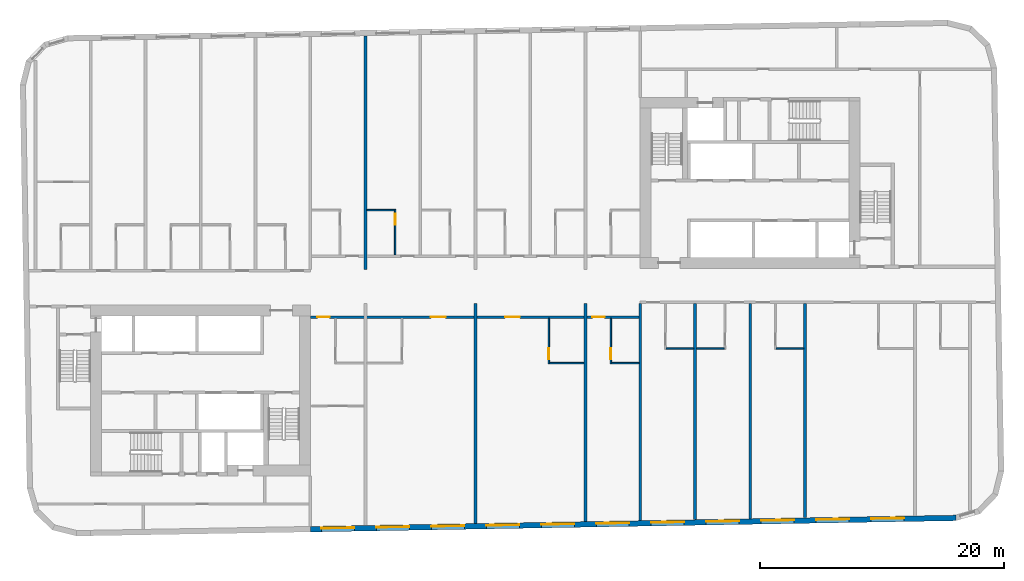
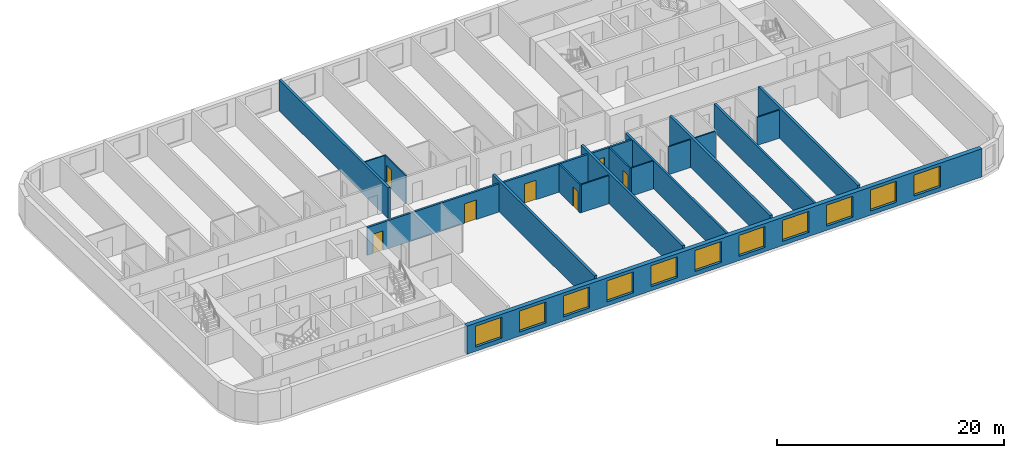
# One storey, part 4 of 11: 18 walls, 11 windows, 7 doors, 18 openings.
"""IFC4 building model written with IfcOpenShell, lengths in metres."""

from ifc_helpers import new_model, si_unit, direction, frame, frame_2d, origin, place, context, subcontext, project, spatial, rectangle, extrude, material, layer, layer_set, type_object, element, fill, save


model = new_model("IFC4")

# Units and contexts
model_context = context("Model", 3, precision=1e-05, world=origin(), true_north=direction((0.0, 1.0)))
body_context = subcontext(model_context, "Body", "Model", "MODEL_VIEW")
ifc_project = project(units=[si_unit("LENGTHUNIT", "METRE"), si_unit("AREAUNIT", "SQUARE_METRE"), si_unit("VOLUMEUNIT", "CUBIC_METRE"), si_unit("PLANEANGLEUNIT", "RADIAN"), si_unit("MASSUNIT", "GRAM", prefix="KILO")], contexts=[model_context])

# Site, building, storey
site_placement = place(None, origin())
site = spatial("IfcSite", under=ifc_project, at=site_placement, CompositionType="ELEMENT")
building_placement = place(site_placement, origin())
building = spatial("IfcBuilding", under=site, at=building_placement, Name="Kajstack Hotel Tower", CompositionType="ELEMENT")
storey_placement = place(building_placement, frame((0.0, 0.0, 240.800048828125)))
storey = spatial("IfcBuildingStorey", under=building, at=storey_placement, Name="L59", CompositionType="ELEMENT", Elevation=240.800048828125)

# Wall, openings, doors
ifc_material_1 = material(Name="Gypsum board on steel studs, mineral wool", Category="steel")
ifc_layer_1 = layer(ifc_material_1, 0.199951171875)
ifc_layer_set_1 = layer_set([ifc_layer_1], Name="Corridor wall 200")
wall_type_1 = type_object("IfcWallType", Name="Corridor wall 200", PredefinedType="PARTITIONING", material=ifc_layer_set_1)
wall_1_placement = place(storey_placement, frame((-13.5, -2.5, 0.0), z_axis=(0.0, 0.0, 1.0), x_axis=(1.0, 0.0, 0.0)))
wall_1 = element("IfcWall", 1, at=wall_1_placement, inside=storey, type_object=wall_type_1, Name="G-wall-L59-033", PredefinedType="PARTITIONING", context=body_context, shape_type="SweptSolid", body=[
    extrude(rectangle(XDim=27.0, YDim=0.199951171875, at=frame_2d((13.5, 0.0))), origin(), (0.0, 0.0, 1.0), 3.02001953125),
])
opening_1_placement = place(wall_1_placement, frame((0.574951171875, 0.0, 0.0)))
opening_1 = element("IfcOpeningElement", 2, at=opening_1_placement, cuts=wall_1, Name="Opening 59024", PredefinedType="OPENING", context=body_context, shape_type="SweptSolid", body=[
    extrude(rectangle(XDim=1.0, YDim=2.10009765625, at=frame_2d((0.5, 1.050048828125))), frame((0.0, 0.10986328125, 0.0), z_axis=(0.0, -1.0, 0.0), x_axis=(1.0, 0.0, 0.0)), (0.0, 0.0, 1.0), 0.219970703125),
])
opening_2_placement = place(wall_1_placement, frame((9.863037109375, 0.0, 0.0)))
opening_2 = element("IfcOpeningElement", 3, at=opening_2_placement, cuts=wall_1, Name="Opening 59027", PredefinedType="OPENING", context=body_context, shape_type="SweptSolid", body=[
    extrude(rectangle(XDim=1.199951171875, YDim=2.10009765625, at=frame_2d((0.60009765625, 1.050048828125))), frame((0.0, 0.10986328125, 0.0), z_axis=(0.0, -1.0, 0.0), x_axis=(1.0, 0.0, 0.0)), (0.0, 0.0, 1.0), 0.219970703125),
])
opening_3_placement = place(wall_1_placement, frame((15.93798828125, 0.0, 0.0)))
opening_3 = element("IfcOpeningElement", 4, at=opening_3_placement, cuts=wall_1, Name="Opening 59029", PredefinedType="OPENING", context=body_context, shape_type="SweptSolid", body=[
    extrude(rectangle(XDim=1.199951171875, YDim=2.10009765625, at=frame_2d((0.60009765625, 1.050048828125))), frame((0.0, 0.10986328125, 0.0), z_axis=(0.0, -1.0, 0.0), x_axis=(1.0, 0.0, 0.0)), (0.0, 0.0, 1.0), 0.219970703125),
])
opening_4_placement = place(wall_1_placement, frame((23.074951171875, 0.0, 0.0)))
opening_4 = element("IfcOpeningElement", 5, at=opening_4_placement, cuts=wall_1, Name="Opening 59031", PredefinedType="OPENING", context=body_context, shape_type="SweptSolid", body=[
    extrude(rectangle(XDim=1.0, YDim=2.10009765625, at=frame_2d((0.5, 1.050048828125))), frame((0.0, 0.10986328125, 0.0), z_axis=(0.0, -1.0, 0.0), x_axis=(1.0, 0.0, 0.0)), (0.0, 0.0, 1.0), 0.219970703125),
])
ifc_material_2 = material(Name="Oak veneer on timber core, fire-rated leaf", Category="wood")
door_type_1 = type_object("IfcDoorType", Name="Flat entrance door 1000", OperationType="SINGLE_SWING_LEFT", PredefinedType="DOOR", material=ifc_material_2)
door_1_placement = place(opening_1_placement, origin())
door_1 = element("IfcDoor", 6, at=door_1_placement, inside=storey, type_object=door_type_1, Name="G-door-L59-24", OperationType="SINGLE_SWING_RIGHT", OverallHeight=2.10009765625, OverallWidth=1.0, PredefinedType="DOOR", context=body_context, shape_type="SweptSolid", body=[
    extrude(rectangle(XDim=1.0, YDim=2.10009765625, at=frame_2d((0.5, 1.050048828125))), frame((0.0, 0.02490234375, 0.0), z_axis=(0.0, -1.0, 0.0), x_axis=(1.0, 0.0, 0.0)), (0.0, 0.0, 1.0), 0.050048828125),
])
fill(opening_1, door_1)
door_2_placement = place(opening_4_placement, origin())
door_2 = element("IfcDoor", 7, at=door_2_placement, inside=storey, type_object=door_type_1, Name="G-door-L59-31", OperationType="SINGLE_SWING_RIGHT", OverallHeight=2.10009765625, OverallWidth=1.0, PredefinedType="DOOR", context=body_context, shape_type="SweptSolid", body=[
    extrude(rectangle(XDim=1.0, YDim=2.10009765625, at=frame_2d((0.5, 1.050048828125))), frame((0.0, 0.02490234375, 0.0), z_axis=(0.0, -1.0, 0.0), x_axis=(1.0, 0.0, 0.0)), (0.0, 0.0, 1.0), 0.050048828125),
])
fill(opening_4, door_2)
door_type_2 = type_object("IfcDoorType", Name="Flat entrance door 1200", OperationType="SINGLE_SWING_LEFT", PredefinedType="DOOR", material=ifc_material_2)
door_3_placement = place(opening_2_placement, origin())
door_3 = element("IfcDoor", 8, at=door_3_placement, inside=storey, type_object=door_type_2, Name="G-door-L59-27", OperationType="SINGLE_SWING_LEFT", OverallHeight=2.10009765625, OverallWidth=1.199951171875, PredefinedType="DOOR", context=body_context, shape_type="SweptSolid", body=[
    extrude(rectangle(XDim=1.199951171875, YDim=2.10009765625, at=frame_2d((0.60009765625, 1.050048828125))), frame((0.0, 0.02490234375, 0.0), z_axis=(0.0, -1.0, 0.0), x_axis=(1.0, 0.0, 0.0)), (0.0, 0.0, 1.0), 0.050048828125),
])
fill(opening_2, door_3)
door_4_placement = place(opening_3_placement, origin())
door_4 = element("IfcDoor", 9, at=door_4_placement, inside=storey, type_object=door_type_2, Name="G-door-L59-29", OperationType="SINGLE_SWING_LEFT", OverallHeight=2.10009765625, OverallWidth=1.199951171875, PredefinedType="DOOR", context=body_context, shape_type="SweptSolid", body=[
    extrude(rectangle(XDim=1.199951171875, YDim=2.10009765625, at=frame_2d((0.60009765625, 1.050048828125))), frame((0.0, 0.02490234375, 0.0), z_axis=(0.0, -1.0, 0.0), x_axis=(1.0, 0.0, 0.0)), (0.0, 0.0, 1.0), 0.050048828125),
])
fill(opening_3, door_4)

# Walls
ifc_material_3 = material(Name="Twin-frame gypsum board on steel studs, mineral wool", Category="steel")
ifc_layer_2 = layer(ifc_material_3, 0.199951171875)
ifc_layer_set_2 = layer_set([ifc_layer_2], Name="Demising wall 200")
wall_type_2 = type_object("IfcWallType", Name="Demising wall 200", PredefinedType="PARTITIONING", material=ifc_layer_set_2)
wall_2_placement = place(storey_placement, frame((13.5, -19.169921875, 0.0), z_axis=(0.0, 0.0, 1.0), x_axis=(0.0, 1.0, 0.0)))
element("IfcWall", 10, at=wall_2_placement, inside=storey, type_object=wall_type_2, Name="G-wall-L59-042", PredefinedType="PARTITIONING", context=body_context, shape_type="SweptSolid", body=[
    extrude(rectangle(XDim=17.77001953125, YDim=0.199951171875, at=frame_2d((8.885009765625, 0.0))), origin(), (0.0, 0.0, 1.0), 3.02001953125),
])
wall_3_placement = place(storey_placement, frame((22.5, -19.012939453125, 0.0), z_axis=(0.0, 0.0, 1.0), x_axis=(0.0, 1.0, 0.0)))
element("IfcWall", 11, at=wall_3_placement, inside=storey, type_object=wall_type_2, Name="G-wall-L59-047", PredefinedType="PARTITIONING", context=body_context, shape_type="SweptSolid", body=[
    extrude(rectangle(XDim=17.613037109375, YDim=0.199951171875, at=frame_2d((8.806640625, 0.0))), origin(), (0.0, 0.0, 1.0), 3.02001953125),
])

# Wall, openings, windows
ifc_material_4 = material(Name="Terracotta-faced brick masonry", Category="masonry")
ifc_layer_3 = layer(ifc_material_4, 0.449951171875)
ifc_layer_set_3 = layer_set([ifc_layer_3], Name="EW-TERRA")
wall_type_3 = type_object("IfcWallType", Name="EW-TERRA", PredefinedType="SOLIDWALL", material=ifc_layer_set_3)
wall_4_placement = place(storey_placement, frame((-13.50390625, -19.8662109375, 0.0), z_axis=(0.0, 0.0, 1.0), x_axis=(0.999847672978, 0.017453676992, 0.0)))
wall_4 = element("IfcWall", 12, at=wall_4_placement, inside=storey, type_object=wall_type_3, Name="E-wall-L59-04-02", PredefinedType="SOLIDWALL", context=body_context, shape_type="SweptSolid", body=[
    extrude(rectangle(XDim=52.8603515625, YDim=0.449951171875, at=frame_2d((26.43017578125, 0.0))), origin(), (0.0, 0.0, 1.0), 3.02001953125),
])
opening_5_placement = place(wall_4_placement, frame((0.900390625, 0.0, 0.449951171875)))
opening_5 = element("IfcOpeningElement", 13, at=opening_5_placement, cuts=wall_4, Name="Opening W1", PredefinedType="OPENING", context=body_context, shape_type="SweptSolid", body=[
    extrude(rectangle(XDim=2.699951171875, YDim=2.25, at=frame_2d((1.35009765625, 1.125))), frame((0.0, 0.23486328125, 0.0), z_axis=(0.0, -1.0, 0.0), x_axis=(1.0, 0.0, 0.0)), (0.0, 0.0, 1.0), 0.469970703125),
])
opening_6_placement = place(wall_4_placement, frame((5.40087890625, 0.0, 0.449951171875)))
opening_6 = element("IfcOpeningElement", 14, at=opening_6_placement, cuts=wall_4, Name="Opening W1", PredefinedType="OPENING", context=body_context, shape_type="SweptSolid", body=[
    extrude(rectangle(XDim=2.699951171875, YDim=2.25, at=frame_2d((1.35009765625, 1.125))), frame((0.0, 0.23486328125, 0.0), z_axis=(0.0, -1.0, 0.0), x_axis=(1.0, 0.0, 0.0)), (0.0, 0.0, 1.0), 0.469970703125),
])
opening_7_placement = place(wall_4_placement, frame((9.901611328125, 0.0, 0.449951171875)))
opening_7 = element("IfcOpeningElement", 15, at=opening_7_placement, cuts=wall_4, Name="Opening W1", PredefinedType="OPENING", context=body_context, shape_type="SweptSolid", body=[
    extrude(rectangle(XDim=2.699951171875, YDim=2.25, at=frame_2d((1.35009765625, 1.125))), frame((0.0, 0.23486328125, 0.0), z_axis=(0.0, -1.0, 0.0), x_axis=(1.0, 0.0, 0.0)), (0.0, 0.0, 1.0), 0.469970703125),
])
opening_8_placement = place(wall_4_placement, frame((14.40234375, 0.0, 0.449951171875)))
opening_8 = element("IfcOpeningElement", 16, at=opening_8_placement, cuts=wall_4, Name="Opening W1", PredefinedType="OPENING", context=body_context, shape_type="SweptSolid", body=[
    extrude(rectangle(XDim=2.699951171875, YDim=2.25, at=frame_2d((1.35009765625, 1.125))), frame((0.0, 0.23486328125, 0.0), z_axis=(0.0, -1.0, 0.0), x_axis=(1.0, 0.0, 0.0)), (0.0, 0.0, 1.0), 0.469970703125),
])
opening_9_placement = place(wall_4_placement, frame((18.903076171875, 0.0, 0.449951171875)))
opening_9 = element("IfcOpeningElement", 17, at=opening_9_placement, cuts=wall_4, Name="Opening W1", PredefinedType="OPENING", context=body_context, shape_type="SweptSolid", body=[
    extrude(rectangle(XDim=2.699951171875, YDim=2.25, at=frame_2d((1.35009765625, 1.125))), frame((0.0, 0.23486328125, 0.0), z_axis=(0.0, -1.0, 0.0), x_axis=(1.0, 0.0, 0.0)), (0.0, 0.0, 1.0), 0.469970703125),
])
opening_10_placement = place(wall_4_placement, frame((23.40380859375, 0.0, 0.449951171875)))
opening_10 = element("IfcOpeningElement", 18, at=opening_10_placement, cuts=wall_4, Name="Opening W1", PredefinedType="OPENING", context=body_context, shape_type="SweptSolid", body=[
    extrude(rectangle(XDim=2.699951171875, YDim=2.25, at=frame_2d((1.35009765625, 1.125))), frame((0.0, 0.23486328125, 0.0), z_axis=(0.0, -1.0, 0.0), x_axis=(1.0, 0.0, 0.0)), (0.0, 0.0, 1.0), 0.469970703125),
])
opening_11_placement = place(wall_4_placement, frame((27.904296875, 0.0, 0.449951171875)))
opening_11 = element("IfcOpeningElement", 19, at=opening_11_placement, cuts=wall_4, Name="Opening W1", PredefinedType="OPENING", context=body_context, shape_type="SweptSolid", body=[
    extrude(rectangle(XDim=2.699951171875, YDim=2.25, at=frame_2d((1.35009765625, 1.125))), frame((0.0, 0.23486328125, 0.0), z_axis=(0.0, -1.0, 0.0), x_axis=(1.0, 0.0, 0.0)), (0.0, 0.0, 1.0), 0.469970703125),
])
opening_12_placement = place(wall_4_placement, frame((32.405029296875, 0.0, 0.449951171875)))
opening_12 = element("IfcOpeningElement", 20, at=opening_12_placement, cuts=wall_4, Name="Opening W1", PredefinedType="OPENING", context=body_context, shape_type="SweptSolid", body=[
    extrude(rectangle(XDim=2.699951171875, YDim=2.25, at=frame_2d((1.35009765625, 1.125))), frame((0.0, 0.23486328125, 0.0), z_axis=(0.0, -1.0, 0.0), x_axis=(1.0, 0.0, 0.0)), (0.0, 0.0, 1.0), 0.469970703125),
])
opening_13_placement = place(wall_4_placement, frame((36.90576171875, 0.0, 0.449951171875)))
opening_13 = element("IfcOpeningElement", 21, at=opening_13_placement, cuts=wall_4, Name="Opening W1", PredefinedType="OPENING", context=body_context, shape_type="SweptSolid", body=[
    extrude(rectangle(XDim=2.699951171875, YDim=2.25, at=frame_2d((1.35009765625, 1.125))), frame((0.0, 0.23486328125, 0.0), z_axis=(0.0, -1.0, 0.0), x_axis=(1.0, 0.0, 0.0)), (0.0, 0.0, 1.0), 0.469970703125),
])
opening_14_placement = place(wall_4_placement, frame((41.406494140625, 0.0, 0.449951171875)))
opening_14 = element("IfcOpeningElement", 22, at=opening_14_placement, cuts=wall_4, Name="Opening W1", PredefinedType="OPENING", context=body_context, shape_type="SweptSolid", body=[
    extrude(rectangle(XDim=2.699951171875, YDim=2.25, at=frame_2d((1.35009765625, 1.125))), frame((0.0, 0.23486328125, 0.0), z_axis=(0.0, -1.0, 0.0), x_axis=(1.0, 0.0, 0.0)), (0.0, 0.0, 1.0), 0.469970703125),
])
opening_15_placement = place(wall_4_placement, frame((45.9072265625, 0.0, 0.449951171875)))
opening_15 = element("IfcOpeningElement", 23, at=opening_15_placement, cuts=wall_4, Name="Opening W1", PredefinedType="OPENING", context=body_context, shape_type="SweptSolid", body=[
    extrude(rectangle(XDim=2.699951171875, YDim=2.25, at=frame_2d((1.35009765625, 1.125))), frame((0.0, 0.23486328125, 0.0), z_axis=(0.0, -1.0, 0.0), x_axis=(1.0, 0.0, 0.0)), (0.0, 0.0, 1.0), 0.469970703125),
])
ifc_material_5 = material(Name="Timber-aluminium window, triple glazed", Category="wood")
window_type = type_object("IfcWindowType", Name="WG1", PartitioningType="SINGLE_PANEL", PredefinedType="WINDOW", material=ifc_material_5)
window_1_placement = place(opening_5_placement, origin())
window_1 = element("IfcWindow", 24, at=window_1_placement, inside=storey, type_object=window_type, Name="Window W1 L59-04", OverallHeight=2.25, OverallWidth=2.699951171875, PartitioningType="SINGLE_PANEL", PredefinedType="WINDOW", context=body_context, shape_type="SweptSolid", body=[
    extrude(rectangle(XDim=2.699951171875, YDim=2.25, at=frame_2d((1.35009765625, 1.125))), frame((0.0, 0.090087890625, 0.0), z_axis=(0.0, -1.0, 0.0), x_axis=(1.0, 0.0, 0.0)), (0.0, 0.0, 1.0), 0.06005859375),
])
fill(opening_5, window_1)
window_2_placement = place(opening_6_placement, origin())
window_2 = element("IfcWindow", 25, at=window_2_placement, inside=storey, type_object=window_type, Name="Window W1 L59-04", OverallHeight=2.25, OverallWidth=2.699951171875, PartitioningType="SINGLE_PANEL", PredefinedType="WINDOW", context=body_context, shape_type="SweptSolid", body=[
    extrude(rectangle(XDim=2.699951171875, YDim=2.25, at=frame_2d((1.35009765625, 1.125))), frame((0.0, 0.090087890625, 0.0), z_axis=(0.0, -1.0, 0.0), x_axis=(1.0, 0.0, 0.0)), (0.0, 0.0, 1.0), 0.06005859375),
])
fill(opening_6, window_2)
window_3_placement = place(opening_7_placement, origin())
window_3 = element("IfcWindow", 26, at=window_3_placement, inside=storey, type_object=window_type, Name="Window W1 L59-04", OverallHeight=2.25, OverallWidth=2.699951171875, PartitioningType="SINGLE_PANEL", PredefinedType="WINDOW", context=body_context, shape_type="SweptSolid", body=[
    extrude(rectangle(XDim=2.699951171875, YDim=2.25, at=frame_2d((1.35009765625, 1.125))), frame((0.0, 0.090087890625, 0.0), z_axis=(0.0, -1.0, 0.0), x_axis=(1.0, 0.0, 0.0)), (0.0, 0.0, 1.0), 0.06005859375),
])
fill(opening_7, window_3)
window_4_placement = place(opening_8_placement, origin())
window_4 = element("IfcWindow", 27, at=window_4_placement, inside=storey, type_object=window_type, Name="Window W1 L59-04", OverallHeight=2.25, OverallWidth=2.699951171875, PartitioningType="SINGLE_PANEL", PredefinedType="WINDOW", context=body_context, shape_type="SweptSolid", body=[
    extrude(rectangle(XDim=2.699951171875, YDim=2.25, at=frame_2d((1.35009765625, 1.125))), frame((0.0, 0.090087890625, 0.0), z_axis=(0.0, -1.0, 0.0), x_axis=(1.0, 0.0, 0.0)), (0.0, 0.0, 1.0), 0.06005859375),
])
fill(opening_8, window_4)
window_5_placement = place(opening_9_placement, origin())
window_5 = element("IfcWindow", 28, at=window_5_placement, inside=storey, type_object=window_type, Name="Window W1 L59-04", OverallHeight=2.25, OverallWidth=2.699951171875, PartitioningType="SINGLE_PANEL", PredefinedType="WINDOW", context=body_context, shape_type="SweptSolid", body=[
    extrude(rectangle(XDim=2.699951171875, YDim=2.25, at=frame_2d((1.35009765625, 1.125))), frame((0.0, 0.090087890625, 0.0), z_axis=(0.0, -1.0, 0.0), x_axis=(1.0, 0.0, 0.0)), (0.0, 0.0, 1.0), 0.06005859375),
])
fill(opening_9, window_5)
window_6_placement = place(opening_10_placement, origin())
window_6 = element("IfcWindow", 29, at=window_6_placement, inside=storey, type_object=window_type, Name="Window W1 L59-04", OverallHeight=2.25, OverallWidth=2.699951171875, PartitioningType="SINGLE_PANEL", PredefinedType="WINDOW", context=body_context, shape_type="SweptSolid", body=[
    extrude(rectangle(XDim=2.699951171875, YDim=2.25, at=frame_2d((1.35009765625, 1.125))), frame((0.0, 0.090087890625, 0.0), z_axis=(0.0, -1.0, 0.0), x_axis=(1.0, 0.0, 0.0)), (0.0, 0.0, 1.0), 0.06005859375),
])
fill(opening_10, window_6)
window_7_placement = place(opening_11_placement, origin())
window_7 = element("IfcWindow", 30, at=window_7_placement, inside=storey, type_object=window_type, Name="Window W1 L59-04", OverallHeight=2.25, OverallWidth=2.699951171875, PartitioningType="SINGLE_PANEL", PredefinedType="WINDOW", context=body_context, shape_type="SweptSolid", body=[
    extrude(rectangle(XDim=2.699951171875, YDim=2.25, at=frame_2d((1.35009765625, 1.125))), frame((0.0, 0.090087890625, 0.0), z_axis=(0.0, -1.0, 0.0), x_axis=(1.0, 0.0, 0.0)), (0.0, 0.0, 1.0), 0.06005859375),
])
fill(opening_11, window_7)
window_8_placement = place(opening_12_placement, origin())
window_8 = element("IfcWindow", 31, at=window_8_placement, inside=storey, type_object=window_type, Name="Window W1 L59-04", OverallHeight=2.25, OverallWidth=2.699951171875, PartitioningType="SINGLE_PANEL", PredefinedType="WINDOW", context=body_context, shape_type="SweptSolid", body=[
    extrude(rectangle(XDim=2.699951171875, YDim=2.25, at=frame_2d((1.35009765625, 1.125))), frame((0.0, 0.090087890625, 0.0), z_axis=(0.0, -1.0, 0.0), x_axis=(1.0, 0.0, 0.0)), (0.0, 0.0, 1.0), 0.06005859375),
])
fill(opening_12, window_8)
window_9_placement = place(opening_13_placement, origin())
window_9 = element("IfcWindow", 32, at=window_9_placement, inside=storey, type_object=window_type, Name="Window W1 L59-04", OverallHeight=2.25, OverallWidth=2.699951171875, PartitioningType="SINGLE_PANEL", PredefinedType="WINDOW", context=body_context, shape_type="SweptSolid", body=[
    extrude(rectangle(XDim=2.699951171875, YDim=2.25, at=frame_2d((1.35009765625, 1.125))), frame((0.0, 0.090087890625, 0.0), z_axis=(0.0, -1.0, 0.0), x_axis=(1.0, 0.0, 0.0)), (0.0, 0.0, 1.0), 0.06005859375),
])
fill(opening_13, window_9)
window_10_placement = place(opening_14_placement, origin())
window_10 = element("IfcWindow", 33, at=window_10_placement, inside=storey, type_object=window_type, Name="Window W1 L59-04", OverallHeight=2.25, OverallWidth=2.699951171875, PartitioningType="SINGLE_PANEL", PredefinedType="WINDOW", context=body_context, shape_type="SweptSolid", body=[
    extrude(rectangle(XDim=2.699951171875, YDim=2.25, at=frame_2d((1.35009765625, 1.125))), frame((0.0, 0.090087890625, 0.0), z_axis=(0.0, -1.0, 0.0), x_axis=(1.0, 0.0, 0.0)), (0.0, 0.0, 1.0), 0.06005859375),
])
fill(opening_14, window_10)
window_11_placement = place(opening_15_placement, origin())
window_11 = element("IfcWindow", 34, at=window_11_placement, inside=storey, type_object=window_type, Name="Window W1 L59-04", OverallHeight=2.25, OverallWidth=2.699951171875, PartitioningType="SINGLE_PANEL", PredefinedType="WINDOW", context=body_context, shape_type="SweptSolid", body=[
    extrude(rectangle(XDim=2.699951171875, YDim=2.25, at=frame_2d((1.35009765625, 1.125))), frame((0.0, 0.090087890625, 0.0), z_axis=(0.0, -1.0, 0.0), x_axis=(1.0, 0.0, 0.0)), (0.0, 0.0, 1.0), 0.06005859375),
])
fill(opening_15, window_11)

# Wall, opening, door
ifc_material_6 = material(Name="Gypsum board and tiled backer on steel studs", Category="steel")
ifc_layer_4 = layer(ifc_material_6, 0.125)
ifc_layer_set_4 = layer_set([ifc_layer_4], Name="En-suite wall 125")
wall_type_4 = type_object("IfcWallType", Name="En-suite wall 125", PredefinedType="PARTITIONING", material=ifc_layer_set_4)
wall_5_placement = place(storey_placement, frame((-6.56201171875, 2.60009765625, 0.0), z_axis=(0.0, 0.0, 1.0), x_axis=(0.0, 1.0, 0.0)))
wall_5 = element("IfcWall", 35, at=wall_5_placement, inside=storey, type_object=wall_type_4, Name="G-wall-L59-022", PredefinedType="PARTITIONING", context=body_context, shape_type="SweptSolid", body=[
    extrude(rectangle(XDim=3.724853515625, YDim=0.125, at=frame_2d((1.8623046875, 0.0))), origin(), (0.0, 0.0, 1.0), 3.02001953125),
])
opening_16_placement = place(wall_5_placement, frame((2.449951171875, 0.0, 0.0)))
opening_16 = element("IfcOpeningElement", 36, at=opening_16_placement, cuts=wall_5, Name="Opening 59015", PredefinedType="OPENING", context=body_context, shape_type="SweptSolid", body=[
    extrude(rectangle(XDim=0.89990234375, YDim=2.10009765625, at=frame_2d((0.449951171875, 1.050048828125))), frame((0.0, 0.072509765625, 0.0), z_axis=(0.0, -1.0, 0.0), x_axis=(1.0, 0.0, 0.0)), (0.0, 0.0, 1.0), 0.14501953125),
])
ifc_material_7 = material(Name="Painted timber door leaf", Category="wood")
door_type_3 = type_object("IfcDoorType", Name="Room door 900", OperationType="SINGLE_SWING_LEFT", PredefinedType="DOOR", material=ifc_material_7)
door_5_placement = place(opening_16_placement, origin())
door_5 = element("IfcDoor", 37, at=door_5_placement, inside=storey, type_object=door_type_3, Name="G-door-L59-15", OperationType="SINGLE_SWING_LEFT", OverallHeight=2.10009765625, OverallWidth=0.89990234375, PredefinedType="DOOR", context=body_context, shape_type="SweptSolid", body=[
    extrude(rectangle(XDim=0.89990234375, YDim=2.10009765625, at=frame_2d((0.449951171875, 1.050048828125))), frame((0.0, 0.02490234375, 0.0), z_axis=(0.0, -1.0, 0.0), x_axis=(1.0, 0.0, 0.0)), (0.0, 0.0, 1.0), 0.050048828125),
])
fill(opening_16, door_5)

# Wall
wall_6_placement = place(storey_placement, frame((-8.875, 6.262939453125, 0.0), z_axis=(0.0, 0.0, 1.0), x_axis=(1.0, 0.0, 0.0)))
element("IfcWall", 38, at=wall_6_placement, inside=storey, type_object=wall_type_4, Name="G-wall-L59-023", PredefinedType="PARTITIONING", context=body_context, shape_type="SweptSolid", body=[
    extrude(rectangle(XDim=2.25, YDim=0.125, at=frame_2d((1.125, 0.0))), origin(), (0.0, 0.0, 1.0), 3.02001953125),
])

# Wall, opening, door
wall_7_placement = place(storey_placement, frame((6.012939453125, -6.324951171875, 0.0), z_axis=(0.0, 0.0, 1.0), x_axis=(0.0, 1.0, 0.0)))
wall_7 = element("IfcWall", 39, at=wall_7_placement, inside=storey, type_object=wall_type_4, Name="G-wall-L59-040", PredefinedType="PARTITIONING", context=body_context, shape_type="SweptSolid", body=[
    extrude(rectangle(XDim=3.724853515625, YDim=0.125, at=frame_2d((1.8623046875, 0.0))), origin(), (0.0, 0.0, 1.0), 3.02001953125),
])
opening_17_placement = place(wall_7_placement, frame((0.375, 0.0, 0.0)))
opening_17 = element("IfcOpeningElement", 40, at=opening_17_placement, cuts=wall_7, Name="Opening 59030", PredefinedType="OPENING", context=body_context, shape_type="SweptSolid", body=[
    extrude(rectangle(XDim=0.89990234375, YDim=2.10009765625, at=frame_2d((0.449951171875, 1.050048828125))), frame((0.0, 0.072509765625, 0.0), z_axis=(0.0, -1.0, 0.0), x_axis=(1.0, 0.0, 0.0)), (0.0, 0.0, 1.0), 0.14501953125),
])
door_6_placement = place(opening_17_placement, origin())
door_6 = element("IfcDoor", 41, at=door_6_placement, inside=storey, type_object=door_type_3, Name="G-door-L59-30", OperationType="SINGLE_SWING_RIGHT", OverallHeight=2.10009765625, OverallWidth=0.89990234375, PredefinedType="DOOR", context=body_context, shape_type="SweptSolid", body=[
    extrude(rectangle(XDim=0.89990234375, YDim=2.10009765625, at=frame_2d((0.449951171875, 1.050048828125))), frame((0.0, 0.02490234375, 0.0), z_axis=(0.0, -1.0, 0.0), x_axis=(1.0, 0.0, 0.0)), (0.0, 0.0, 1.0), 0.050048828125),
])
fill(opening_17, door_6)

# Wall
wall_8_placement = place(storey_placement, frame((6.074951171875, -6.262939453125, 0.0), z_axis=(0.0, 0.0, 1.0), x_axis=(1.0, 0.0, 0.0)))
element("IfcWall", 42, at=wall_8_placement, inside=storey, type_object=wall_type_4, Name="G-wall-L59-041", PredefinedType="PARTITIONING", context=body_context, shape_type="SweptSolid", body=[
    extrude(rectangle(XDim=2.800048828125, YDim=0.125, at=frame_2d((1.39990234375, 0.0))), origin(), (0.0, 0.0, 1.0), 3.02001953125),
])

# Wall, opening, door
wall_9_placement = place(storey_placement, frame((11.087890625, -6.324951171875, 0.0), z_axis=(0.0, 0.0, 1.0), x_axis=(0.0, 1.0, 0.0)))
wall_9 = element("IfcWall", 43, at=wall_9_placement, inside=storey, type_object=wall_type_4, Name="G-wall-L59-043", PredefinedType="PARTITIONING", context=body_context, shape_type="SweptSolid", body=[
    extrude(rectangle(XDim=3.724853515625, YDim=0.125, at=frame_2d((1.8623046875, 0.0))), origin(), (0.0, 0.0, 1.0), 3.02001953125),
])
opening_18_placement = place(wall_9_placement, frame((0.375, 0.0, 0.0)))
opening_18 = element("IfcOpeningElement", 44, at=opening_18_placement, cuts=wall_9, Name="Opening 59032", PredefinedType="OPENING", context=body_context, shape_type="SweptSolid", body=[
    extrude(rectangle(XDim=0.89990234375, YDim=2.10009765625, at=frame_2d((0.449951171875, 1.050048828125))), frame((0.0, 0.072509765625, 0.0), z_axis=(0.0, -1.0, 0.0), x_axis=(1.0, 0.0, 0.0)), (0.0, 0.0, 1.0), 0.14501953125),
])
door_7_placement = place(opening_18_placement, origin())
door_7 = element("IfcDoor", 45, at=door_7_placement, inside=storey, type_object=door_type_3, Name="G-door-L59-32", OperationType="SINGLE_SWING_RIGHT", OverallHeight=2.10009765625, OverallWidth=0.89990234375, PredefinedType="DOOR", context=body_context, shape_type="SweptSolid", body=[
    extrude(rectangle(XDim=0.89990234375, YDim=2.10009765625, at=frame_2d((0.449951171875, 1.050048828125))), frame((0.0, 0.02490234375, 0.0), z_axis=(0.0, -1.0, 0.0), x_axis=(1.0, 0.0, 0.0)), (0.0, 0.0, 1.0), 0.050048828125),
])
fill(opening_18, door_7)

# Walls
for number, where, z_axis, x_axis, name in (
    (46, (11.14990234375, -6.262939453125, 0.0), (0.0, 0.0, 1.0), (1.0, 0.0, 0.0), "G-wall-L59-044"),
    (47, (15.625, -5.06201171875, 0.0), (0.0, 0.0, 1.0), (1.0, 0.0, 0.0), "G-wall-L59-046"),
    (48, (18.125, -5.06201171875, 0.0), (0.0, 0.0, 1.0), (1.0, 0.0, 0.0), "G-wall-L59-049"),
    (49, (24.625, -5.06201171875, 0.0), (0.0, 0.0, 1.0), (1.0, 0.0, 0.0), "G-wall-L59-051"),
):
    element("IfcWall", number, at=place(storey_placement, frame(where, z_axis=z_axis, x_axis=x_axis)), inside=storey, type_object=wall_type_4, Name=name, PredefinedType="PARTITIONING", context=body_context, shape_type="SweptSolid", body=[
        extrude(rectangle(XDim=2.25, YDim=0.125, at=frame_2d((1.125, 0.0))), origin(), (0.0, 0.0, 1.0), 3.02001953125),
    ])
ifc_material_8 = material(Name="Concrete C45/55", Category="concrete")
ifc_layer_5 = layer(ifc_material_8, 0.25)
ifc_layer_set_5 = layer_set([ifc_layer_5], Name="RC cross wall 250 C45/55")
wall_type_5 = type_object("IfcWallType", Name="RC cross wall 250 C45/55", PredefinedType="SHEAR", material=ifc_layer_set_5)
wall_10_placement = place(storey_placement, frame((-9.0, 1.39990234375, 0.0), z_axis=(0.0, 0.0, 1.0), x_axis=(0.0, 1.0, 0.0)))
element("IfcWall", 50, at=wall_10_placement, inside=storey, type_object=wall_type_5, Name="S-wall-L59-05", PredefinedType="SHEAR", context=body_context, shape_type="SweptSolid", body=[
    extrude(rectangle(XDim=19.131591796875, YDim=0.25, at=frame_2d((9.56591796875, 0.0))), origin(), (0.0, 0.0, 1.0), 3.300048828125),
])
wall_11_placement = place(storey_placement, frame((0.0, -19.393310546875, 0.0), z_axis=(0.0, 0.0, 1.0), x_axis=(0.0, 1.0, 0.0)))
element("IfcWall", 51, at=wall_11_placement, inside=storey, type_object=wall_type_5, Name="S-wall-L59-06", PredefinedType="SHEAR", context=body_context, shape_type="SweptSolid", body=[
    extrude(rectangle(XDim=17.993408203125, YDim=0.25, at=frame_2d((8.99658203125, 0.0))), origin(), (0.0, 0.0, 1.0), 3.300048828125),
])
wall_12_placement = place(storey_placement, frame((9.0, -19.236083984375, 0.0), z_axis=(0.0, 0.0, 1.0), x_axis=(0.0, 1.0, 0.0)))
element("IfcWall", 52, at=wall_12_placement, inside=storey, type_object=wall_type_5, Name="S-wall-L59-08", PredefinedType="SHEAR", context=body_context, shape_type="SweptSolid", body=[
    extrude(rectangle(XDim=17.836181640625, YDim=0.25, at=frame_2d((8.91796875, 0.0))), origin(), (0.0, 0.0, 1.0), 3.300048828125),
])
wall_13_placement = place(storey_placement, frame((18.0, -19.0791015625, 0.0), z_axis=(0.0, 0.0, 1.0), x_axis=(0.0, 1.0, 0.0)))
element("IfcWall", 53, at=wall_13_placement, inside=storey, type_object=wall_type_5, Name="S-wall-L59-10", PredefinedType="SHEAR", context=body_context, shape_type="SweptSolid", body=[
    extrude(rectangle(XDim=17.67919921875, YDim=0.25, at=frame_2d((8.839599609375, 0.0))), origin(), (0.0, 0.0, 1.0), 3.300048828125),
])
wall_14_placement = place(storey_placement, frame((27.0, -18.922119140625, 0.0), z_axis=(0.0, 0.0, 1.0), x_axis=(0.0, 1.0, 0.0)))
element("IfcWall", 54, at=wall_14_placement, inside=storey, type_object=wall_type_5, Name="S-wall-L59-11", PredefinedType="SHEAR", context=body_context, shape_type="SweptSolid", body=[
    extrude(rectangle(XDim=17.522216796875, YDim=0.25, at=frame_2d((8.76123046875, 0.0))), origin(), (0.0, 0.0, 1.0), 3.300048828125),
])

save(model, "model.ifc")
